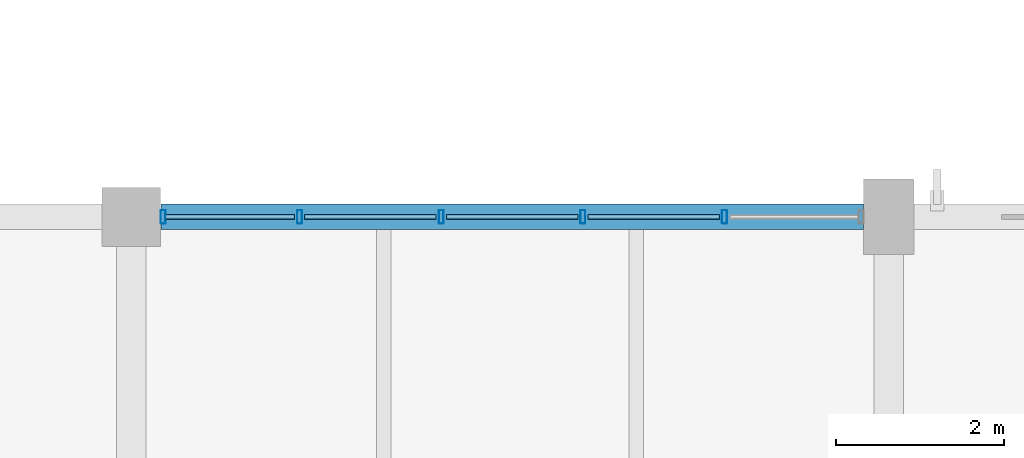
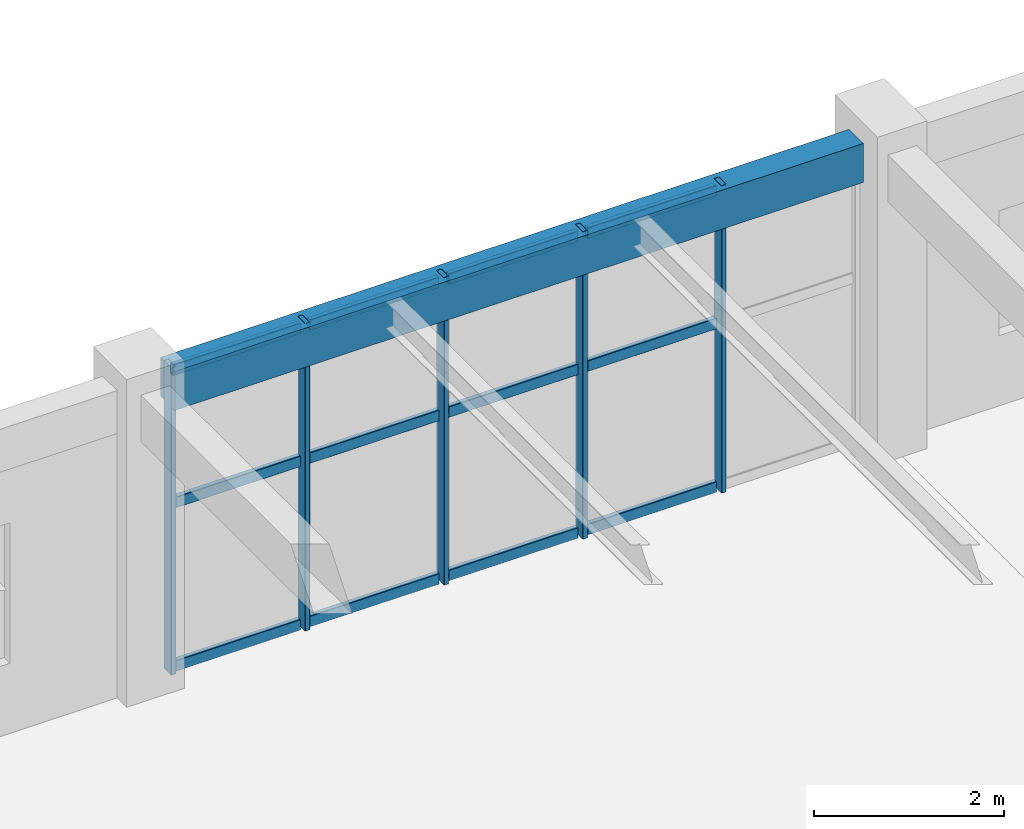
# One storey, part 93 of 128: 17 members, 1 beam, 1 element without a shape of its own.
"""IFC4 building model written with IfcOpenShell, lengths in metres."""

from ifc_helpers import new_model, si_unit, derived_unit, direction, frame, origin, origin_2d, place, context, subcontext, project, spatial, rectangle, hollow_rectangle, extrude, material, material_profile, profile_set, type_object, element, aggregate, save


model = new_model("IFC4")

# Units and contexts
model_context = context("Model", 3, precision=1e-05, world=origin(), true_north=direction((0.0, 1.0)))
body_context = subcontext(model_context, "Body", "Model", "MODEL_VIEW")
ifc_project = project(units=[si_unit("LENGTHUNIT", "METRE"), si_unit("AREAUNIT", "SQUARE_METRE"), si_unit("VOLUMEUNIT", "CUBIC_METRE"), si_unit("PLANEANGLEUNIT", "RADIAN"), si_unit("MASSUNIT", "GRAM", prefix="KILO"), derived_unit("THERMALTRANSMITTANCEUNIT", [(si_unit("MASSUNIT", "GRAM", prefix="KILO"), 1), (si_unit("TIMEUNIT", "SECOND"), -3), (si_unit("THERMODYNAMICTEMPERATUREUNIT", "KELVIN"), -1)])], contexts=[model_context])

# Site, building, storey
site_placement = place(None, origin())
site = spatial("IfcSite", under=ifc_project, at=site_placement, CompositionType="ELEMENT")
building_placement = place(site_placement, origin())
building = spatial("IfcBuilding", under=site, at=building_placement, Name="Zhenchuan Archway Interchange", CompositionType="ELEMENT")
storey_placement = place(building_placement, frame((0.0, 0.0, 14.39990234375)))
storey = spatial("IfcBuildingStorey", under=building, at=storey_placement, Name="L03", CompositionType="ELEMENT", Elevation=14.39990234375)

# Curtain wall, members
ifc_material_1 = material(Name="Anodised Aluminium", Category="aluminium")
curtain_wall_type = type_object("IfcCurtainWallType", Name="CW_UNIT_1", PredefinedType="NOTDEFINED", material=ifc_material_1)
curtain_wall_placement = place(storey_placement, origin())
curtain_wall = element("IfcCurtainWall", 1, at=curtain_wall_placement, inside=storey, type_object=curtain_wall_type, Name="Unitised curtain wall CW:L03:176", PredefinedType="NOTDEFINED")
ifc_material_profile_1 = material_profile(ifc_material_1, hollow_rectangle(XDim=0.06005859375, YDim=0.159912109375, WallThickness=0.00390625, InnerFilletRadius=0.00390625, OuterFilletRadius=0.008056640625, at=origin_2d()), Name="ALU 160x60x4")
ifc_profile_set_1 = profile_set([ifc_material_profile_1], Name="Anodised Aluminium")
member_type_1 = type_object("IfcMemberType", Name="CW_MUL_150", PredefinedType="MULLION", material=ifc_profile_set_1)
member_1_placement = place(storey_placement, frame((135.3779296875, 104.0, 0.0), z_axis=(0.0, 0.0, 1.0), x_axis=(1.0, 0.0, 0.0)))
member_1 = element("IfcMember", 2, at=member_1_placement, type_object=member_type_1, Name="CW:L03:176 mullion 0", PredefinedType="MULLION", context=body_context, shape_type="SweptSolid", body=[
    extrude(hollow_rectangle(XDim=0.06005859375, YDim=0.159912109375, WallThickness=0.00390625, InnerFilletRadius=0.00390625, OuterFilletRadius=0.008056640625, at=origin_2d()), origin(), (0.0, 0.0, 1.0), 3.940185546875),
])
member_2_placement = place(storey_placement, frame((137.000732421875, 104.0, 0.0), z_axis=(0.0, 0.0, 1.0), x_axis=(1.0, 0.0, 0.0)))
member_2 = element("IfcMember", 3, at=member_2_placement, type_object=member_type_1, Name="CW:L03:176 mullion 1", PredefinedType="MULLION", context=body_context, shape_type="SweptSolid", body=[
    extrude(hollow_rectangle(XDim=0.06005859375, YDim=0.159912109375, WallThickness=0.00390625, InnerFilletRadius=0.00390625, OuterFilletRadius=0.008056640625, at=origin_2d()), origin(), (0.0, 0.0, 1.0), 3.940185546875),
])
member_3_placement = place(storey_placement, frame((138.68359375, 104.0, 0.0), z_axis=(0.0, 0.0, 1.0), x_axis=(1.0, 0.0, 0.0)))
member_3 = element("IfcMember", 4, at=member_3_placement, type_object=member_type_1, Name="CW:L03:176 mullion 2", PredefinedType="MULLION", context=body_context, shape_type="SweptSolid", body=[
    extrude(hollow_rectangle(XDim=0.06005859375, YDim=0.159912109375, WallThickness=0.00390625, InnerFilletRadius=0.00390625, OuterFilletRadius=0.008056640625, at=origin_2d()), origin(), (0.0, 0.0, 1.0), 3.940185546875),
])
member_4_placement = place(storey_placement, frame((140.366455078125, 104.0, 0.0), z_axis=(0.0, 0.0, 1.0), x_axis=(1.0, 0.0, 0.0)))
member_4 = element("IfcMember", 5, at=member_4_placement, type_object=member_type_1, Name="CW:L03:176 mullion 3", PredefinedType="MULLION", context=body_context, shape_type="SweptSolid", body=[
    extrude(hollow_rectangle(XDim=0.06005859375, YDim=0.159912109375, WallThickness=0.00390625, InnerFilletRadius=0.00390625, OuterFilletRadius=0.008056640625, at=origin_2d()), origin(), (0.0, 0.0, 1.0), 3.940185546875),
])
member_5_placement = place(storey_placement, frame((142.04931640625, 104.0, 0.0), z_axis=(0.0, 0.0, 1.0), x_axis=(1.0, 0.0, 0.0)))
member_5 = element("IfcMember", 6, at=member_5_placement, type_object=member_type_1, Name="CW:L03:176 mullion 4", PredefinedType="MULLION", context=body_context, shape_type="SweptSolid", body=[
    extrude(hollow_rectangle(XDim=0.06005859375, YDim=0.159912109375, WallThickness=0.00390625, InnerFilletRadius=0.00390625, OuterFilletRadius=0.008056640625, at=origin_2d()), origin(), (0.0, 0.0, 1.0), 3.940185546875),
])
ifc_material_profile_2 = material_profile(ifc_material_1, hollow_rectangle(XDim=0.06005859375, YDim=0.139892578125, WallThickness=0.00341796875, InnerFilletRadius=0.00341796875, OuterFilletRadius=0.007080078125, at=origin_2d()), Name="ALU 140x60x3.5")
ifc_profile_set_2 = profile_set([ifc_material_profile_2], Name="Anodised Aluminium")
member_type_2 = type_object("IfcMemberType", Name="CW_TRN_140", PredefinedType="USERDEFINED", material=ifc_profile_set_2)
member_6_placement = place(storey_placement, frame((135.39794921875, 104.0, 0.06005859375), z_axis=(1.0, 0.0, 0.0), x_axis=(0.0, 1.0, 0.0)))
member_6 = element("IfcMember", 7, at=member_6_placement, type_object=member_type_2, Name="CW:L03:176 transom 0-1", ObjectType="TRANSOM", PredefinedType="USERDEFINED", context=body_context, shape_type="SweptSolid", body=[
    extrude(hollow_rectangle(XDim=0.06005859375, YDim=0.139892578125, WallThickness=0.00341796875, InnerFilletRadius=0.00341796875, OuterFilletRadius=0.007080078125, at=origin_2d()), origin(), (0.0, 0.0, 1.0), 1.54296875),
])
member_7_placement = place(storey_placement, frame((135.39794921875, 104.0, 2.156005859375), z_axis=(1.0, 0.0, 0.0), x_axis=(0.0, 1.0, 0.0)))
member_7 = element("IfcMember", 8, at=member_7_placement, type_object=member_type_2, Name="CW:L03:176 transom 0-2", ObjectType="TRANSOM", PredefinedType="USERDEFINED", context=body_context, shape_type="SweptSolid", body=[
    extrude(hollow_rectangle(XDim=0.06005859375, YDim=0.139892578125, WallThickness=0.00341796875, InnerFilletRadius=0.00341796875, OuterFilletRadius=0.007080078125, at=origin_2d()), origin(), (0.0, 0.0, 1.0), 1.54296875),
])
member_8_placement = place(storey_placement, frame((135.39794921875, 104.0, 3.860107421875), z_axis=(1.0, 0.0, 0.0), x_axis=(0.0, 1.0, 0.0)))
member_8 = element("IfcMember", 9, at=member_8_placement, type_object=member_type_2, Name="CW:L03:176 transom 0-3", ObjectType="TRANSOM", PredefinedType="USERDEFINED", context=body_context, shape_type="SweptSolid", body=[
    extrude(hollow_rectangle(XDim=0.06005859375, YDim=0.139892578125, WallThickness=0.00341796875, InnerFilletRadius=0.00341796875, OuterFilletRadius=0.007080078125, at=origin_2d()), origin(), (0.0, 0.0, 1.0), 1.54296875),
])
member_9_placement = place(storey_placement, frame((137.060791015625, 104.0, 0.06005859375), z_axis=(1.0, 0.0, 0.0), x_axis=(0.0, 1.0, 0.0)))
member_9 = element("IfcMember", 10, at=member_9_placement, type_object=member_type_2, Name="CW:L03:176 transom 1-1", ObjectType="TRANSOM", PredefinedType="USERDEFINED", context=body_context, shape_type="SweptSolid", body=[
    extrude(hollow_rectangle(XDim=0.06005859375, YDim=0.139892578125, WallThickness=0.00341796875, InnerFilletRadius=0.00341796875, OuterFilletRadius=0.007080078125, at=origin_2d()), origin(), (0.0, 0.0, 1.0), 1.562744140625),
])
member_10_placement = place(storey_placement, frame((137.060791015625, 104.0, 2.156005859375), z_axis=(1.0, 0.0, 0.0), x_axis=(0.0, 1.0, 0.0)))
member_10 = element("IfcMember", 11, at=member_10_placement, type_object=member_type_2, Name="CW:L03:176 transom 1-2", ObjectType="TRANSOM", PredefinedType="USERDEFINED", context=body_context, shape_type="SweptSolid", body=[
    extrude(hollow_rectangle(XDim=0.06005859375, YDim=0.139892578125, WallThickness=0.00341796875, InnerFilletRadius=0.00341796875, OuterFilletRadius=0.007080078125, at=origin_2d()), origin(), (0.0, 0.0, 1.0), 1.562744140625),
])
member_11_placement = place(storey_placement, frame((137.060791015625, 104.0, 3.860107421875), z_axis=(1.0, 0.0, 0.0), x_axis=(0.0, 1.0, 0.0)))
member_11 = element("IfcMember", 12, at=member_11_placement, type_object=member_type_2, Name="CW:L03:176 transom 1-3", ObjectType="TRANSOM", PredefinedType="USERDEFINED", context=body_context, shape_type="SweptSolid", body=[
    extrude(hollow_rectangle(XDim=0.06005859375, YDim=0.139892578125, WallThickness=0.00341796875, InnerFilletRadius=0.00341796875, OuterFilletRadius=0.007080078125, at=origin_2d()), origin(), (0.0, 0.0, 1.0), 1.562744140625),
])
member_12_placement = place(storey_placement, frame((138.74365234375, 104.0, 0.06005859375), z_axis=(1.0, 0.0, 0.0), x_axis=(0.0, 1.0, 0.0)))
member_12 = element("IfcMember", 13, at=member_12_placement, type_object=member_type_2, Name="CW:L03:176 transom 2-1", ObjectType="TRANSOM", PredefinedType="USERDEFINED", context=body_context, shape_type="SweptSolid", body=[
    extrude(hollow_rectangle(XDim=0.06005859375, YDim=0.139892578125, WallThickness=0.00341796875, InnerFilletRadius=0.00341796875, OuterFilletRadius=0.007080078125, at=origin_2d()), origin(), (0.0, 0.0, 1.0), 1.562744140625),
])
member_13_placement = place(storey_placement, frame((138.74365234375, 104.0, 2.156005859375), z_axis=(1.0, 0.0, 0.0), x_axis=(0.0, 1.0, 0.0)))
member_13 = element("IfcMember", 14, at=member_13_placement, type_object=member_type_2, Name="CW:L03:176 transom 2-2", ObjectType="TRANSOM", PredefinedType="USERDEFINED", context=body_context, shape_type="SweptSolid", body=[
    extrude(hollow_rectangle(XDim=0.06005859375, YDim=0.139892578125, WallThickness=0.00341796875, InnerFilletRadius=0.00341796875, OuterFilletRadius=0.007080078125, at=origin_2d()), origin(), (0.0, 0.0, 1.0), 1.562744140625),
])
member_14_placement = place(storey_placement, frame((138.74365234375, 104.0, 3.860107421875), z_axis=(1.0, 0.0, 0.0), x_axis=(0.0, 1.0, 0.0)))
member_14 = element("IfcMember", 15, at=member_14_placement, type_object=member_type_2, Name="CW:L03:176 transom 2-3", ObjectType="TRANSOM", PredefinedType="USERDEFINED", context=body_context, shape_type="SweptSolid", body=[
    extrude(hollow_rectangle(XDim=0.06005859375, YDim=0.139892578125, WallThickness=0.00341796875, InnerFilletRadius=0.00341796875, OuterFilletRadius=0.007080078125, at=origin_2d()), origin(), (0.0, 0.0, 1.0), 1.562744140625),
])
member_15_placement = place(storey_placement, frame((140.426513671875, 104.0, 0.06005859375), z_axis=(1.0, 0.0, 0.0), x_axis=(0.0, 1.0, 0.0)))
member_15 = element("IfcMember", 16, at=member_15_placement, type_object=member_type_2, Name="CW:L03:176 transom 3-1", ObjectType="TRANSOM", PredefinedType="USERDEFINED", context=body_context, shape_type="SweptSolid", body=[
    extrude(hollow_rectangle(XDim=0.06005859375, YDim=0.139892578125, WallThickness=0.00341796875, InnerFilletRadius=0.00341796875, OuterFilletRadius=0.007080078125, at=origin_2d()), origin(), (0.0, 0.0, 1.0), 1.562744140625),
])
member_16_placement = place(storey_placement, frame((140.426513671875, 104.0, 2.156005859375), z_axis=(1.0, 0.0, 0.0), x_axis=(0.0, 1.0, 0.0)))
member_16 = element("IfcMember", 17, at=member_16_placement, type_object=member_type_2, Name="CW:L03:176 transom 3-2", ObjectType="TRANSOM", PredefinedType="USERDEFINED", context=body_context, shape_type="SweptSolid", body=[
    extrude(hollow_rectangle(XDim=0.06005859375, YDim=0.139892578125, WallThickness=0.00341796875, InnerFilletRadius=0.00341796875, OuterFilletRadius=0.007080078125, at=origin_2d()), origin(), (0.0, 0.0, 1.0), 1.562744140625),
])
member_17_placement = place(storey_placement, frame((140.426513671875, 104.0, 3.860107421875), z_axis=(1.0, 0.0, 0.0), x_axis=(0.0, 1.0, 0.0)))
member_17 = element("IfcMember", 18, at=member_17_placement, type_object=member_type_2, Name="CW:L03:176 transom 3-3", ObjectType="TRANSOM", PredefinedType="USERDEFINED", context=body_context, shape_type="SweptSolid", body=[
    extrude(hollow_rectangle(XDim=0.06005859375, YDim=0.139892578125, WallThickness=0.00341796875, InnerFilletRadius=0.00341796875, OuterFilletRadius=0.007080078125, at=origin_2d()), origin(), (0.0, 0.0, 1.0), 1.562744140625),
])
aggregate(curtain_wall, [member_1, member_2, member_3, member_4, member_5, member_6, member_7, member_8, member_9, member_10, member_11, member_12, member_13, member_14, member_15, member_16, member_17])

# Beam
ifc_material_2 = material(Name="Concrete C40", Category="concrete")
ifc_material_profile_3 = material_profile(ifc_material_2, rectangle(XDim=0.300048828125, YDim=0.5, at=origin_2d()), Name="RC 300x500")
ifc_profile_set_3 = profile_set([ifc_material_profile_3], Name="Concrete C40")
beam_type = type_object("IfcBeamType", Name="SP_RC_300x500", PredefinedType="SPANDREL", material=ifc_profile_set_3)
beam_placement = place(storey_placement, frame((135.35009765625, 104.0, 3.690185546875), z_axis=(1.0, 0.0, 0.0), x_axis=(0.0, 1.0, 0.0)))
element("IfcBeam", 19, at=beam_placement, inside=storey, type_object=beam_type, Name="Beam O:16-17 (L03)", PredefinedType="SPANDREL", context=body_context, shape_type="SweptSolid", body=[
    extrude(rectangle(XDim=0.300048828125, YDim=0.5, at=origin_2d()), origin(), (0.0, 0.0, 1.0), 8.349853515625),
])

save(model, "model.ifc")
